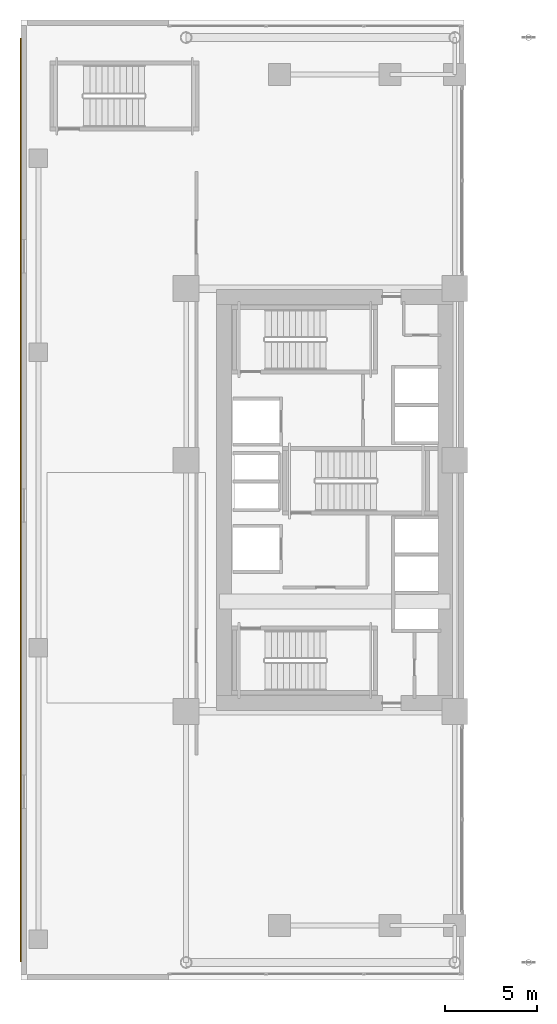
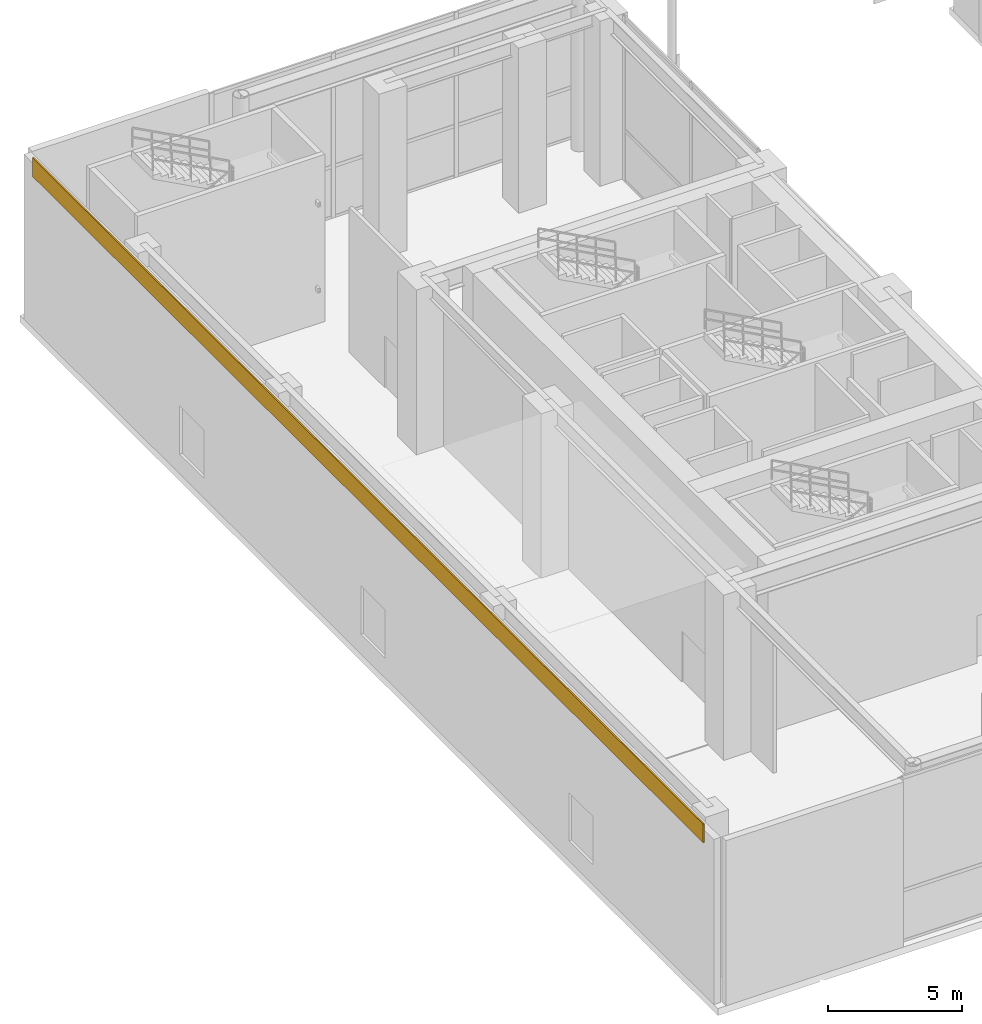
# One storey, part 25 of 29: 1 covering.
"""IFC4 building model written with IfcOpenShell, lengths in metres."""

from ifc_helpers import new_model, si_unit, direction, frame, origin, origin_2d, place, context, subcontext, project, spatial, rectangle, extrude, source, transform, mapped, material, layer, layer_set, type_object, element, save


model = new_model("IFC4")

# Units and contexts
model_context = context("Model", 3, precision=1e-05, world=origin(), true_north=direction((0.0, 1.0)))
body_context = subcontext(model_context, "Body", "Model", "MODEL_VIEW")
ifc_project = project(units=[si_unit("LENGTHUNIT", "METRE"), si_unit("AREAUNIT", "SQUARE_METRE"), si_unit("VOLUMEUNIT", "CUBIC_METRE"), si_unit("PLANEANGLEUNIT", "RADIAN"), si_unit("MASSUNIT", "GRAM", prefix="KILO")], contexts=[model_context])

# Site, building, storey
site_placement = place(None, origin())
site = spatial("IfcSite", under=ifc_project, at=site_placement, CompositionType="ELEMENT")
building_placement = place(site_placement, origin())
building = spatial("IfcBuilding", under=site, at=building_placement, Name="Ocotamira Hotel", CompositionType="ELEMENT")
storey_placement = place(building_placement, frame((0.0, 0.0, 11.39990234375)))
storey = spatial("IfcBuildingStorey", under=building, at=storey_placement, Name="L03", CompositionType="ELEMENT", Elevation=11.39990234375)

# Covering
ifc_material = material(Name="Pale-metal champagne aluminium rainscreen cladding", Category="aluminium")
ifc_layer = layer(ifc_material, 0.06005859375)
ifc_layer_set = layer_set([ifc_layer], Name="Pale-metal champagne aluminium rainscreen cladding")
covering_type = type_object("IfcCoveringType", Name="COV-CLAD-60", PredefinedType="CLADDING", material=ifc_layer_set)
shared_shape = source(origin(), body_context, "Body", "SweptSolid", [
    extrude(rectangle(XDim=0.06005859375, YDim=50.0, at=origin_2d()), origin(), (0.0, 0.0, 1.0), 0.85009765625),
])
covering_placement = place(storey_placement, frame((-0.02001953125, 26.0, 6.949951171875), z_axis=(0.0, 0.0, 1.0), x_axis=(1.0, 0.0, 0.0)))
element("IfcCovering", 1, at=covering_placement, inside=storey, type_object=covering_type, Name="L03 West Spandrel Cladding", PredefinedType="CLADDING", context=body_context, shape_type="MappedRepresentation", body=[
    mapped(shared_shape, transform((0.0, 0.0, 0.0), scale=1.0)),
])

save(model, "model.ifc")
